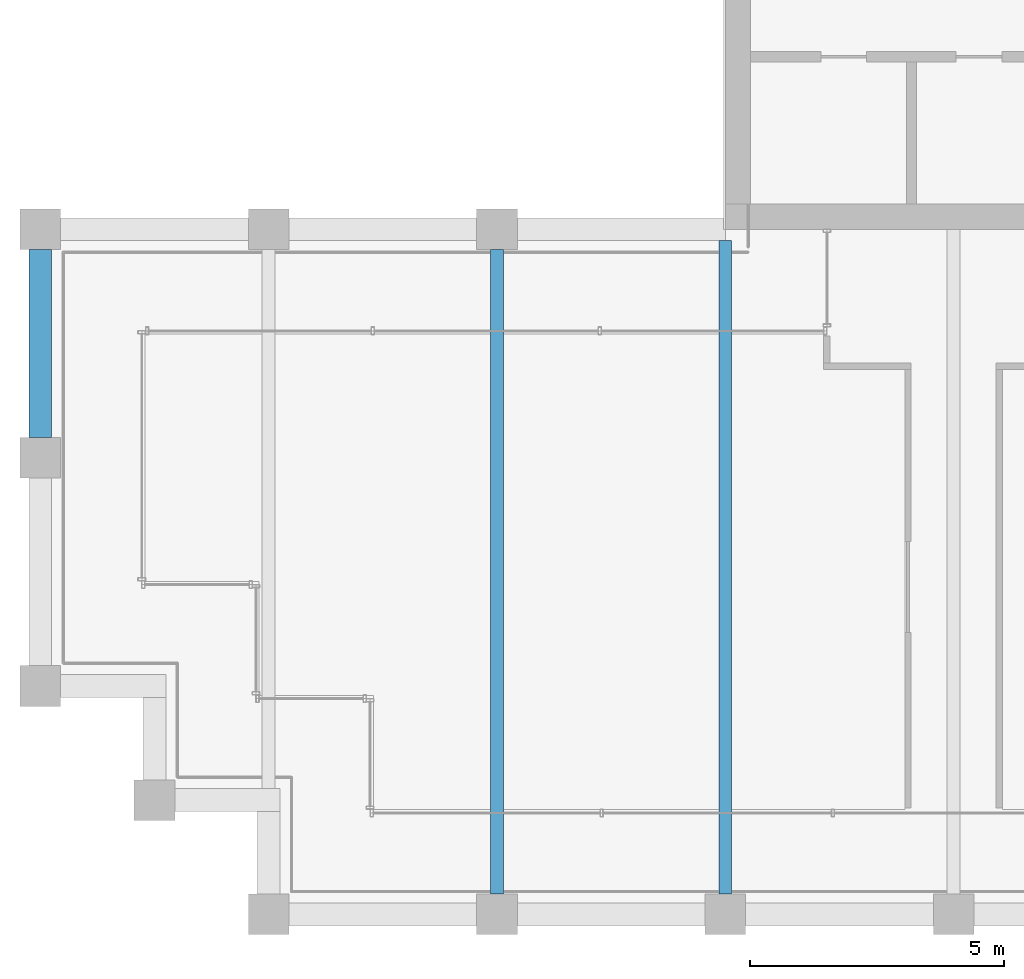
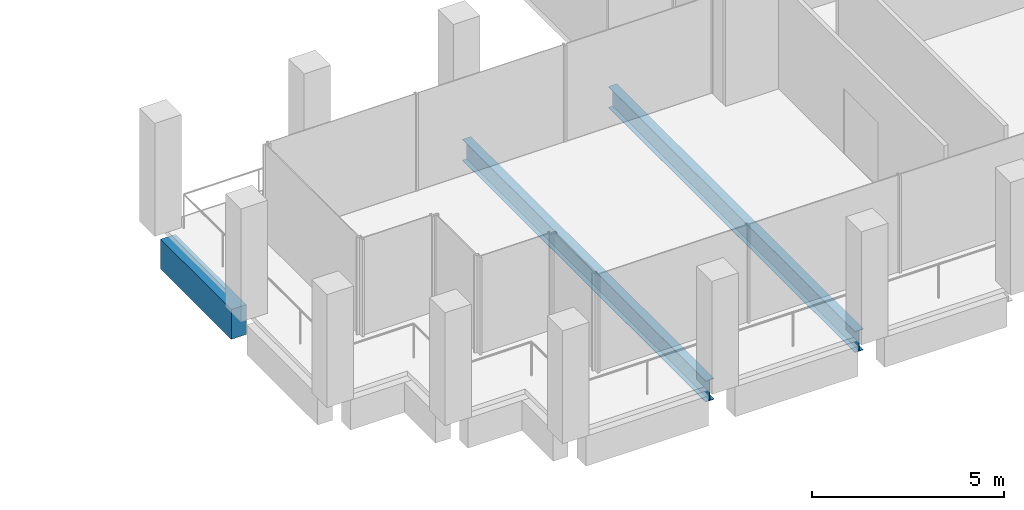
# One storey, part 4 of 30: 3 beams.
"""IFC4 building model written with IfcOpenShell, lengths in metres."""

from ifc_helpers import new_model, si_unit, direction, frame, origin, origin_2d, place, context, subcontext, project, spatial, rectangle, i_section, extrude, material, material_profile, profile_set, type_object, element, save


model = new_model("IFC4")

# Units and contexts
model_context = context("Model", 3, precision=1e-05, world=origin(), true_north=direction((0.0, 1.0)))
body_context = subcontext(model_context, "Body", "Model", "MODEL_VIEW")
ifc_project = project(units=[si_unit("LENGTHUNIT", "METRE"), si_unit("AREAUNIT", "SQUARE_METRE"), si_unit("VOLUMEUNIT", "CUBIC_METRE"), si_unit("PLANEANGLEUNIT", "RADIAN"), si_unit("MASSUNIT", "GRAM", prefix="KILO")], contexts=[model_context])

# Site, building, storey
site_placement = place(None, origin())
site = spatial("IfcSite", under=ifc_project, at=site_placement, CompositionType="ELEMENT")
building_placement = place(site_placement, origin())
building = spatial("IfcBuilding", under=site, at=building_placement, Name="Altepetl Exchange Towers", CompositionType="ELEMENT")
storey_placement = place(building_placement, frame((0.0, 0.0, 213.60009765625)))
storey = spatial("IfcBuildingStorey", under=building, at=storey_placement, Name="L54", CompositionType="ELEMENT", Elevation=213.60009765625)

# Beams
ifc_material_1 = material(Name="Steel S355", Category="steel")
ifc_material_profile_1 = material_profile(ifc_material_1, i_section(OverallWidth=0.2529296875, OverallDepth=0.677978515625, WebThickness=0.01171875, FlangeThickness=0.016357421875, at=origin_2d()), Name="W27X84")
ifc_profile_set_1 = profile_set([ifc_material_profile_1], Name="Steel S355")
beam_type_1 = type_object("IfcBeamType", Name="Floor beam W27X84", PredefinedType="BEAM", material=ifc_profile_set_1)
beam_1_placement = place(storey_placement, frame((36.0, 27.39990234375, -0.489013671875), z_axis=(0.0, 1.0, 0.0), x_axis=(-1.0, 0.0, 0.0)))
element("IfcBeam", 1, at=beam_1_placement, inside=storey, type_object=beam_type_1, Name="bm:A:L54:013", PredefinedType="BEAM", context=body_context, shape_type="SweptSolid", body=[
    extrude(i_section(OverallWidth=0.2529296875, OverallDepth=0.677978515625, WebThickness=0.01171875, FlangeThickness=0.016357421875, at=origin_2d()), origin(), (0.0, 0.0, 1.0), 12.7001953125),
])
beam_2_placement = place(storey_placement, frame((40.5, 27.39990234375, -0.489013671875), z_axis=(0.0, 1.0, 0.0), x_axis=(-1.0, 0.0, 0.0)))
element("IfcBeam", 2, at=beam_2_placement, inside=storey, type_object=beam_type_1, Name="bm:A:L54:014", PredefinedType="BEAM", context=body_context, shape_type="SweptSolid", body=[
    extrude(i_section(OverallWidth=0.2529296875, OverallDepth=0.677978515625, WebThickness=0.01171875, FlangeThickness=0.016357421875, at=origin_2d()), origin(), (0.0, 0.0, 1.0), 12.875),
])
ifc_material_2 = material(Name="Concrete C50/60 precast with cantera blanca facing", Category="concrete")
ifc_material_profile_2 = material_profile(ifc_material_2, rectangle(XDim=0.449951171875, YDim=0.949951171875, at=origin_2d()), Name="450 x 950")
ifc_profile_set_2 = profile_set([ifc_material_profile_2], Name="Concrete C50/60 precast with cantera blanca facing")
beam_type_2 = type_object("IfcBeamType", Name="Spandrel beam 450x950 cantera blanca", PredefinedType="SPANDREL", material=ifc_profile_set_2)
beam_3_placement = place(storey_placement, frame((27.0, 40.10009765625, -0.625), z_axis=(0.0, -1.0, 0.0), x_axis=(1.0, 0.0, 0.0)))
element("IfcBeam", 3, at=beam_3_placement, inside=storey, type_object=beam_type_2, Name="sp:A:L54:036", PredefinedType="SPANDREL", context=body_context, shape_type="SweptSolid", body=[
    extrude(rectangle(XDim=0.449951171875, YDim=0.949951171875, at=origin_2d()), origin(), (0.0, 0.0, 1.0), 3.7001953125),
])

save(model, "model.ifc")
